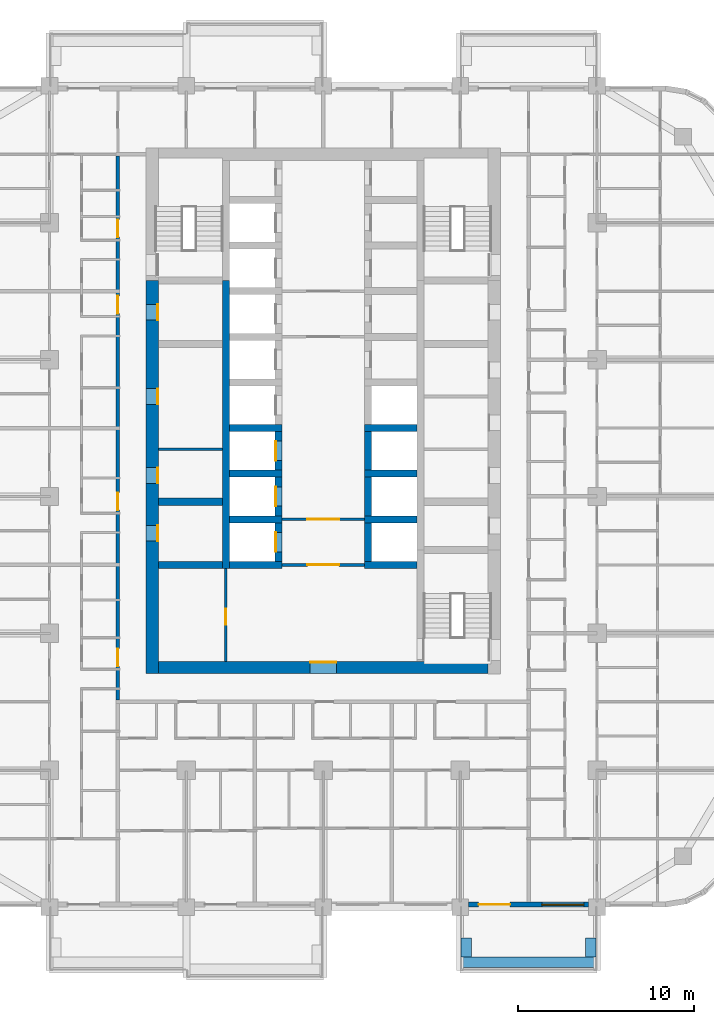
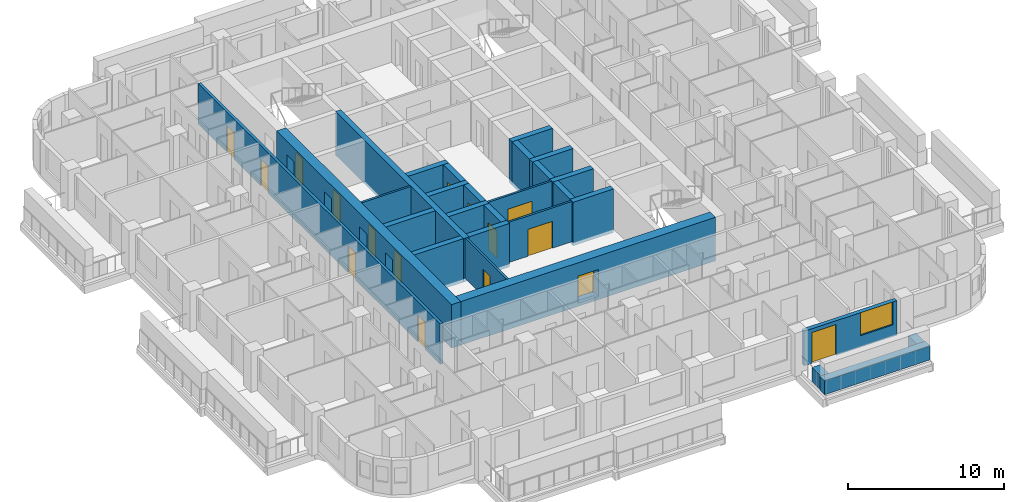
# One storey, part 6 of 18: 28 walls, 16 doors, 1 window, 17 openings.
"""IFC4 building model written with IfcOpenShell, lengths in metres."""

from ifc_helpers import new_model, si_unit, direction, frame, frame_2d, origin, place, context, subcontext, project, spatial, rectangle, extrude, material, layer, layer_set, type_object, element, fill, save


model = new_model("IFC4")

# Units and contexts
model_context = context("Model", 3, precision=1e-05, world=origin(), true_north=direction((0.0, 1.0)))
body_context = subcontext(model_context, "Body", "Model", "MODEL_VIEW")
ifc_project = project(units=[si_unit("LENGTHUNIT", "METRE"), si_unit("AREAUNIT", "SQUARE_METRE"), si_unit("VOLUMEUNIT", "CUBIC_METRE"), si_unit("PLANEANGLEUNIT", "RADIAN"), si_unit("MASSUNIT", "GRAM", prefix="KILO")], contexts=[model_context])

# Site, building, storey
site_placement = place(None, origin())
site = spatial("IfcSite", under=ifc_project, at=site_placement, CompositionType="ELEMENT")
building_placement = place(site_placement, origin())
building = spatial("IfcBuilding", under=site, at=building_placement, Name="Ludao Terraces", CompositionType="ELEMENT")
storey_placement = place(building_placement, frame((0.0, 0.0, 61.39990234375)))
storey = spatial("IfcBuildingStorey", under=building, at=storey_placement, Name="L16", CompositionType="ELEMENT", Elevation=61.39990234375)

# Wall, openings, doors
ifc_material_1 = material(Name="Concrete C70", Category="concrete")
ifc_layer_1 = layer(ifc_material_1, 0.699951171875)
ifc_layer_set_1 = layer_set([ifc_layer_1], Name="Core wall 700 C70")
wall_type_1 = type_object("IfcWallType", Name="Core wall 700 C70", PredefinedType="SOLIDWALL", material=ifc_layer_set_1)
wall_1_placement = place(storey_placement, frame((75.25, 54.89990234375, -0.25), z_axis=(0.0, 0.0, 1.0), x_axis=(0.0, 1.0, 0.0)))
wall_1 = element("IfcWall", 1, at=wall_1_placement, inside=storey, type_object=wall_type_1, Name="Core wall L16 outer-W", PredefinedType="SOLIDWALL", context=body_context, shape_type="SweptSolid", body=[
    extrude(rectangle(XDim=22.400146484375, YDim=0.699951171875, at=frame_2d((11.2001953125, 0.0))), origin(), (0.0, 0.0, 1.0), 3.400146484375),
])
opening_1_placement = place(wall_1_placement, frame((7.550048828125, 0.0, 0.25)))
opening_1 = element("IfcOpeningElement", 2, at=opening_1_placement, cuts=wall_1, Name="Opening R05-079", PredefinedType="OPENING", context=body_context, shape_type="SweptSolid", body=[
    extrude(rectangle(XDim=0.89990234375, YDim=2.10009765625, at=frame_2d((0.449951171875, 1.050048828125))), frame((0.0, 0.35986328125, 0.0), z_axis=(0.0, -1.0, 0.0), x_axis=(1.0, 0.0, 0.0)), (0.0, 0.0, 1.0), 0.719970703125),
])
opening_2_placement = place(wall_1_placement, frame((10.85009765625, 0.0, 0.25)))
opening_2 = element("IfcOpeningElement", 3, at=opening_2_placement, cuts=wall_1, Name="Opening R05-092", PredefinedType="OPENING", context=body_context, shape_type="SweptSolid", body=[
    extrude(rectangle(XDim=0.89990234375, YDim=2.10009765625, at=frame_2d((0.449951171875, 1.050048828125))), frame((0.0, 0.35986328125, 0.0), z_axis=(0.0, -1.0, 0.0), x_axis=(1.0, 0.0, 0.0)), (0.0, 0.0, 1.0), 0.719970703125),
])
opening_3_placement = place(wall_1_placement, frame((15.35009765625, 0.0, 0.25)))
opening_3 = element("IfcOpeningElement", 4, at=opening_3_placement, cuts=wall_1, Name="Opening R05-105", PredefinedType="OPENING", context=body_context, shape_type="SweptSolid", body=[
    extrude(rectangle(XDim=0.89990234375, YDim=2.10009765625, at=frame_2d((0.449951171875, 1.050048828125))), frame((0.0, 0.35986328125, 0.0), z_axis=(0.0, -1.0, 0.0), x_axis=(1.0, 0.0, 0.0)), (0.0, 0.0, 1.0), 0.719970703125),
])
opening_4_placement = place(wall_1_placement, frame((20.14990234375, 0.0, 0.25)))
opening_4 = element("IfcOpeningElement", 5, at=opening_4_placement, cuts=wall_1, Name="Opening R05-123", PredefinedType="OPENING", context=body_context, shape_type="SweptSolid", body=[
    extrude(rectangle(XDim=0.89990234375, YDim=2.10009765625, at=frame_2d((0.449951171875, 1.050048828125))), frame((0.0, 0.35986328125, 0.0), z_axis=(0.0, -1.0, 0.0), x_axis=(1.0, 0.0, 0.0)), (0.0, 0.0, 1.0), 0.719970703125),
])
ifc_material_2 = material(Name="Steel Q235", Category="steel")
door_type_1 = type_object("IfcDoorType", Name="INT Riser door 900", OperationType="SINGLE_SWING_LEFT", PredefinedType="DOOR", material=ifc_material_2)
door_1_placement = place(opening_1_placement, origin())
door_1 = element("IfcDoor", 6, at=door_1_placement, inside=storey, type_object=door_type_1, Name="DOOR 079", OperationType="SINGLE_SWING_RIGHT", OverallHeight=2.10009765625, OverallWidth=0.89990234375, PredefinedType="DOOR", context=body_context, shape_type="SweptSolid", body=[
    extrude(rectangle(XDim=0.89990234375, YDim=2.10009765625, at=frame_2d((0.449951171875, 1.050048828125))), frame((0.0, -0.28515625, 0.0), z_axis=(0.0, -1.0, 0.0), x_axis=(1.0, 0.0, 0.0)), (0.0, 0.0, 1.0), 0.050048828125),
])
fill(opening_1, door_1)
door_2_placement = place(opening_4_placement, origin())
door_2 = element("IfcDoor", 7, at=door_2_placement, inside=storey, type_object=door_type_1, Name="DOOR 123", OperationType="SINGLE_SWING_RIGHT", OverallHeight=2.10009765625, OverallWidth=0.89990234375, PredefinedType="DOOR", context=body_context, shape_type="SweptSolid", body=[
    extrude(rectangle(XDim=0.89990234375, YDim=2.10009765625, at=frame_2d((0.449951171875, 1.050048828125))), frame((0.0, -0.28515625, 0.0), z_axis=(0.0, -1.0, 0.0), x_axis=(1.0, 0.0, 0.0)), (0.0, 0.0, 1.0), 0.050048828125),
])
fill(opening_4, door_2)
ifc_material_3 = material(Name="Timber door leaf", Category="wood")
door_type_2 = type_object("IfcDoorType", Name="INT Room door 900", OperationType="SINGLE_SWING_LEFT", PredefinedType="DOOR", material=ifc_material_3)
door_3_placement = place(opening_2_placement, origin())
door_3 = element("IfcDoor", 8, at=door_3_placement, inside=storey, type_object=door_type_2, Name="DOOR 092", OperationType="SINGLE_SWING_RIGHT", OverallHeight=2.10009765625, OverallWidth=0.89990234375, PredefinedType="DOOR", context=body_context, shape_type="SweptSolid", body=[
    extrude(rectangle(XDim=0.89990234375, YDim=2.10009765625, at=frame_2d((0.449951171875, 1.050048828125))), frame((0.0, -0.28515625, 0.0), z_axis=(0.0, -1.0, 0.0), x_axis=(1.0, 0.0, 0.0)), (0.0, 0.0, 1.0), 0.050048828125),
])
fill(opening_2, door_3)
door_4_placement = place(opening_3_placement, origin())
door_4 = element("IfcDoor", 9, at=door_4_placement, inside=storey, type_object=door_type_2, Name="DOOR 105", OperationType="SINGLE_SWING_LEFT", OverallHeight=2.10009765625, OverallWidth=0.89990234375, PredefinedType="DOOR", context=body_context, shape_type="SweptSolid", body=[
    extrude(rectangle(XDim=0.89990234375, YDim=2.10009765625, at=frame_2d((0.449951171875, 1.050048828125))), frame((0.0, -0.28515625, 0.0), z_axis=(0.0, -1.0, 0.0), x_axis=(1.0, 0.0, 0.0)), (0.0, 0.0, 1.0), 0.050048828125),
])
fill(opening_3, door_4)

# Wall, opening, door
wall_2_placement = place(storey_placement, frame((75.60009765625, 55.25, -0.25), z_axis=(0.0, 0.0, 1.0), x_axis=(1.0, 0.0, 0.0)))
wall_2 = element("IfcWall", 10, at=wall_2_placement, inside=storey, type_object=wall_type_1, Name="Core wall L16 outer-S", PredefinedType="SOLIDWALL", context=body_context, shape_type="SweptSolid", body=[
    extrude(rectangle(XDim=18.7998046875, YDim=0.699951171875, at=frame_2d((9.39990234375, 0.0))), origin(), (0.0, 0.0, 1.0), 3.400146484375),
])
opening_5_placement = place(wall_2_placement, frame((8.64990234375, 0.0, 0.25)))
opening_5 = element("IfcOpeningElement", 11, at=opening_5_placement, cuts=wall_2, Name="Opening R05-054", PredefinedType="OPENING", context=body_context, shape_type="SweptSolid", body=[
    extrude(rectangle(XDim=1.5, YDim=2.10009765625, at=frame_2d((0.75, 1.050048828125))), frame((0.0, 0.35986328125, 0.0), z_axis=(0.0, -1.0, 0.0), x_axis=(1.0, 0.0, 0.0)), (0.0, 0.0, 1.0), 0.719970703125),
])
door_type_3 = type_object("IfcDoorType", Name="INT Lobby door 1500", OperationType="DOUBLE_DOOR_SINGLE_SWING", PredefinedType="DOOR", material=ifc_material_2)
door_5_placement = place(opening_5_placement, origin())
door_5 = element("IfcDoor", 12, at=door_5_placement, inside=storey, type_object=door_type_3, Name="DOOR 054", OperationType="DOUBLE_DOOR_SINGLE_SWING", OverallHeight=2.10009765625, OverallWidth=1.5, PredefinedType="DOOR", context=body_context, shape_type="SweptSolid", body=[
    extrude(rectangle(XDim=1.5, YDim=2.10009765625, at=frame_2d((0.75, 1.050048828125))), frame((0.0, 0.3349609375, 0.0), z_axis=(0.0, -1.0, 0.0), x_axis=(1.0, 0.0, 0.0)), (0.0, 0.0, 1.0), 0.050048828125),
])
fill(opening_5, door_5)

# Walls
ifc_material_4 = material(Name="Concrete C40", Category="concrete")
ifc_layer_2 = layer(ifc_material_4, 0.60009765625)
ifc_layer_set_2 = layer_set([ifc_layer_2], Name="ENV Planter trough 600")
wall_type_2 = type_object("IfcWallType", Name="ENV Planter trough 600", PredefinedType="USERDEFINED", material=ifc_layer_set_2)
wall_3_placement = place(storey_placement, frame((92.800048828125, 38.449951171875, 0.0), z_axis=(0.0, 0.0, 1.0), x_axis=(1.0, 0.0, 0.0)))
element("IfcWall", 13, at=wall_3_placement, inside=storey, type_object=wall_type_2, Name="PL-L16-S4", ObjectType="PLANTER", PredefinedType="USERDEFINED", context=body_context, shape_type="SweptSolid", body=[
    extrude(rectangle(XDim=7.800048828125, YDim=0.60009765625, at=frame_2d((3.89990234375, 0.0))), origin(), (0.0, 0.0, 1.0), 1.10009765625),
])
for number, where, z_axis, x_axis, name in (
    (14, (93.14990234375, 38.75, 0.0), (0.0, 0.0, 1.0), (0.0, 1.0, 0.0), "PL-L16-S4-SA"),
    (15, (100.25, 38.75, 0.0), (0.0, 0.0, 1.0), (0.0, 1.0, 0.0), "PL-L16-S4-SB"),
):
    element("IfcWall", number, at=place(storey_placement, frame(where, z_axis=z_axis, x_axis=x_axis)), inside=storey, type_object=wall_type_2, Name=name, ObjectType="PLANTER", PredefinedType="USERDEFINED", context=body_context, shape_type="SweptSolid", body=[
        extrude(rectangle(XDim=1.10009765625, YDim=0.60009765625, at=frame_2d((0.550048828125, 0.0))), origin(), (0.0, 0.0, 1.0), 1.10009765625),
    ])

# Wall, openings, door, window
ifc_material_5 = material(Name="Granite cladding", Category="masonry")
ifc_layer_3 = layer(ifc_material_5, 0.0400390625, Category="stone")
ifc_material_6 = material(Name="Mineral wool")
ifc_layer_4 = layer(ifc_material_6, 0.06005859375)
ifc_layer_5 = layer(ifc_material_4, 0.199951171875, Category="concrete")
ifc_layer_set_3 = layer_set([ifc_layer_3, ifc_layer_4, ifc_layer_5], Name="ENV Stone-clad wall 300")
wall_type_3 = type_object("IfcWallType", Name="ENV Stone-clad wall 300", PredefinedType="SOLIDWALL", material=ifc_layer_set_3)
wall_4_placement = place(storey_placement, frame((93.27490234375, 41.75, 0.0), z_axis=(0.0, 0.0, 1.0), x_axis=(1.0, 0.0, 0.0)))
wall_4 = element("IfcWall", 16, at=wall_4_placement, inside=storey, type_object=wall_type_3, Name="EW-L16-S5", PredefinedType="SOLIDWALL", context=body_context, shape_type="SweptSolid", body=[
    extrude(rectangle(XDim=6.85009765625, YDim=0.300048828125, at=frame_2d((3.425048828125, 0.0))), origin(), (0.0, 0.0, 1.0), 2.7001953125),
])
opening_6_placement = place(wall_4_placement, frame((0.574951171875, 0.0, 0.0)))
opening_6 = element("IfcOpeningElement", 17, at=opening_6_placement, cuts=wall_4, Name="Opening BD", PredefinedType="OPENING", context=body_context, shape_type="SweptSolid", body=[
    extrude(rectangle(XDim=1.800048828125, YDim=2.39990234375, at=frame_2d((0.89990234375, 1.199951171875))), frame((0.0, 0.16015625, 0.0), z_axis=(0.0, -1.0, 0.0), x_axis=(1.0, 0.0, 0.0)), (0.0, 0.0, 1.0), 0.320068359375),
])
opening_7_placement = place(wall_4_placement, frame((4.175048828125, 0.0, 0.89990234375)))
opening_7 = element("IfcOpeningElement", 18, at=opening_7_placement, cuts=wall_4, Name="Opening W1", PredefinedType="OPENING", context=body_context, shape_type="SweptSolid", body=[
    extrude(rectangle(XDim=2.39990234375, YDim=1.800048828125, at=frame_2d((1.199951171875, 0.89990234375))), frame((0.0, 0.16015625, 0.0), z_axis=(0.0, -1.0, 0.0), x_axis=(1.0, 0.0, 0.0)), (0.0, 0.0, 1.0), 0.320068359375),
])
ifc_material_7 = material(Name="Aluminium glazed door", Category="aluminium")
ifc_layer_6 = layer(ifc_material_7, 0.06005859375)
ifc_layer_set_4 = layer_set([ifc_layer_6], Name="ENV Balcony door BD 1800x2400")
door_type_4 = type_object("IfcDoorType", Name="ENV Balcony door BD 1800x2400", OperationType="DOUBLE_DOOR_SINGLE_SWING", PredefinedType="DOOR", material=ifc_layer_set_4)
door_6_placement = place(opening_6_placement, origin())
door_6 = element("IfcDoor", 19, at=door_6_placement, inside=storey, type_object=door_type_4, Name="BD-L16-S5-1", OperationType="DOUBLE_DOOR_SINGLE_SWING", OverallHeight=2.39990234375, OverallWidth=1.800048828125, PredefinedType="DOOR", context=body_context, shape_type="SweptSolid", body=[
    extrude(rectangle(XDim=1.800048828125, YDim=2.39990234375, at=frame_2d((0.89990234375, 1.199951171875))), frame((0.0, 0.02490234375, 0.0), z_axis=(0.0, -1.0, 0.0), x_axis=(1.0, 0.0, 0.0)), (0.0, 0.0, 1.0), 0.050048828125),
])
fill(opening_6, door_6)
ifc_material_8 = material(Name="Clear glass in aluminium frame", Category="aluminium")
ifc_layer_7 = layer(ifc_material_8, 0.06005859375)
ifc_layer_set_5 = layer_set([ifc_layer_7], Name="ENV Window W1 2400x1800")
window_type = type_object("IfcWindowType", Name="ENV Window W1 2400x1800", PartitioningType="DOUBLE_PANEL_VERTICAL", PredefinedType="WINDOW", material=ifc_layer_set_5)
window_placement = place(opening_7_placement, origin())
window = element("IfcWindow", 20, at=window_placement, inside=storey, type_object=window_type, Name="W-L16-S5-2", OverallHeight=1.800048828125, OverallWidth=2.39990234375, PartitioningType="DOUBLE_PANEL_VERTICAL", PredefinedType="WINDOW", context=body_context, shape_type="SweptSolid", body=[
    extrude(rectangle(XDim=2.39990234375, YDim=1.800048828125, at=frame_2d((1.199951171875, 0.89990234375))), frame((0.0, 0.030029296875, 0.0), z_axis=(0.0, -1.0, 0.0), x_axis=(1.0, 0.0, 0.0)), (0.0, 0.0, 1.0), 0.06005859375),
])
fill(opening_7, window)

# Wall, opening, door
ifc_material_9 = material(Name="Fire-rated gypsum plasterboard", Category="gypsum")
ifc_layer_8 = layer(ifc_material_9, 0.012451171875, Category="gypsum")
ifc_layer_9 = layer(ifc_material_6, 0.10009765625, Name="insulation")
ifc_layer_10 = layer(ifc_material_2, 0.02490234375, Name="stud")
ifc_layer_11 = layer(ifc_material_9, 0.012451171875, Category="gypsum")
ifc_layer_set_6 = layer_set([ifc_layer_8, ifc_layer_9, ifc_layer_10, ifc_layer_11], Name="INT Core partition 150")
wall_type_4 = type_object("IfcWallType", Name="INT Core partition 150", PredefinedType="PARTITIONING", material=ifc_layer_set_6)
wall_5_placement = place(storey_placement, frame((82.650146484375, 61.10009765625, 0.0), z_axis=(0.0, 0.0, 1.0), x_axis=(1.0, 0.0, 0.0)))
wall_5 = element("IfcWall", 21, at=wall_5_placement, inside=storey, type_object=wall_type_4, Name="PW-L16-PW034", PredefinedType="PARTITIONING", context=body_context, shape_type="SweptSolid", body=[
    extrude(rectangle(XDim=4.699951171875, YDim=0.14990234375, at=frame_2d((2.35009765625, 0.0))), origin(), (0.0, 0.0, 1.0), 3.150146484375),
])
opening_8_placement = place(wall_5_placement, frame((1.449951171875, 0.0, 0.0)))
opening_8 = element("IfcOpeningElement", 22, at=opening_8_placement, cuts=wall_5, Name="Opening R05-073", PredefinedType="OPENING", context=body_context, shape_type="SweptSolid", body=[
    extrude(rectangle(XDim=1.800048828125, YDim=2.10009765625, at=frame_2d((0.89990234375, 1.050048828125))), frame((0.0, 0.0849609375, 0.0), z_axis=(0.0, -1.0, 0.0), x_axis=(1.0, 0.0, 0.0)), (0.0, 0.0, 1.0), 0.169921875),
])
door_type_5 = type_object("IfcDoorType", Name="INT Fire lobby door 1800", OperationType="DOUBLE_DOOR_SINGLE_SWING", PredefinedType="DOOR", material=ifc_material_2)
door_7_placement = place(opening_8_placement, origin())
door_7 = element("IfcDoor", 23, at=door_7_placement, inside=storey, type_object=door_type_5, Name="DOOR 073", OperationType="DOUBLE_DOOR_SINGLE_SWING", OverallHeight=2.10009765625, OverallWidth=1.800048828125, PredefinedType="DOOR", context=body_context, shape_type="SweptSolid", body=[
    extrude(rectangle(XDim=1.800048828125, YDim=2.10009765625, at=frame_2d((0.89990234375, 1.050048828125))), frame((0.0, 0.02490234375, 0.0), z_axis=(0.0, -1.0, 0.0), x_axis=(1.0, 0.0, 0.0)), (0.0, 0.0, 1.0), 0.050048828125),
])
fill(opening_8, door_7)

wall_6_placement = place(storey_placement, frame((82.650146484375, 63.699951171875, 0.0), z_axis=(0.0, 0.0, 1.0), x_axis=(1.0, 0.0, 0.0)))
wall_6 = element("IfcWall", 24, at=wall_6_placement, inside=storey, type_object=wall_type_4, Name="PW-L16-PW040", PredefinedType="PARTITIONING", context=body_context, shape_type="SweptSolid", body=[
    extrude(rectangle(XDim=4.699951171875, YDim=0.14990234375, at=frame_2d((2.35009765625, 0.0))), origin(), (0.0, 0.0, 1.0), 3.150146484375),
])
opening_9_placement = place(wall_6_placement, frame((1.449951171875, 0.0, 0.0)))
opening_9 = element("IfcOpeningElement", 25, at=opening_9_placement, cuts=wall_6, Name="Opening R05-081", PredefinedType="OPENING", context=body_context, shape_type="SweptSolid", body=[
    extrude(rectangle(XDim=1.800048828125, YDim=2.10009765625, at=frame_2d((0.89990234375, 1.050048828125))), frame((0.0, 0.0849609375, 0.0), z_axis=(0.0, -1.0, 0.0), x_axis=(1.0, 0.0, 0.0)), (0.0, 0.0, 1.0), 0.169921875),
])
door_8_placement = place(opening_9_placement, origin())
door_8 = element("IfcDoor", 26, at=door_8_placement, inside=storey, type_object=door_type_5, Name="DOOR 081", OperationType="DOUBLE_DOOR_SINGLE_SWING", OverallHeight=2.10009765625, OverallWidth=1.800048828125, PredefinedType="DOOR", context=body_context, shape_type="SweptSolid", body=[
    extrude(rectangle(XDim=1.800048828125, YDim=2.10009765625, at=frame_2d((0.89990234375, 1.050048828125))), frame((0.0, 0.02490234375, 0.0), z_axis=(0.0, -1.0, 0.0), x_axis=(1.0, 0.0, 0.0)), (0.0, 0.0, 1.0), 0.050048828125),
])
fill(opening_9, door_8)

# Wall
wall_7_placement = place(storey_placement, frame((75.60009765625, 67.699951171875, 0.0), z_axis=(0.0, 0.0, 1.0), x_axis=(1.0, 0.0, 0.0)))
element("IfcWall", 27, at=wall_7_placement, inside=storey, type_object=wall_type_4, Name="PW-L16-PW047", PredefinedType="PARTITIONING", context=body_context, shape_type="SweptSolid", body=[
    extrude(rectangle(XDim=3.64990234375, YDim=0.14990234375, at=frame_2d((1.824951171875, 0.0))), origin(), (0.0, 0.0, 1.0), 3.150146484375),
])

# Wall, opening, door
wall_8_placement = place(storey_placement, frame((79.449951171875, 55.60009765625, 0.0), z_axis=(0.0, 0.0, 1.0), x_axis=(0.0, 1.0, 0.0)))
wall_8 = element("IfcWall", 28, at=wall_8_placement, inside=storey, type_object=wall_type_4, Name="PW-L16-PW100", PredefinedType="PARTITIONING", context=body_context, shape_type="SweptSolid", body=[
    extrude(rectangle(XDim=5.300048828125, YDim=0.14990234375, at=frame_2d((2.64990234375, 0.0))), origin(), (0.0, 0.0, 1.0), 3.150146484375),
])
opening_10_placement = place(wall_8_placement, frame((2.10009765625, 0.0, 0.0)))
opening_10 = element("IfcOpeningElement", 29, at=opening_10_placement, cuts=wall_8, Name="Opening R05-064", PredefinedType="OPENING", context=body_context, shape_type="SweptSolid", body=[
    extrude(rectangle(XDim=0.89990234375, YDim=2.10009765625, at=frame_2d((0.449951171875, 1.050048828125))), frame((0.0, 0.0849609375, 0.0), z_axis=(0.0, -1.0, 0.0), x_axis=(1.0, 0.0, 0.0)), (0.0, 0.0, 1.0), 0.169921875),
])
door_9_placement = place(opening_10_placement, origin())
door_9 = element("IfcDoor", 30, at=door_9_placement, inside=storey, type_object=door_type_2, Name="DOOR 064", OperationType="SINGLE_SWING_LEFT", OverallHeight=2.10009765625, OverallWidth=0.89990234375, PredefinedType="DOOR", context=body_context, shape_type="SweptSolid", body=[
    extrude(rectangle(XDim=0.89990234375, YDim=2.10009765625, at=frame_2d((0.449951171875, 1.050048828125))), frame((0.0, 0.02490234375, 0.0), z_axis=(0.0, -1.0, 0.0), x_axis=(1.0, 0.0, 0.0)), (0.0, 0.0, 1.0), 0.050048828125),
])
fill(opening_10, door_9)

# Wall, openings, doors
ifc_material_10 = material(Name="Autoclaved aerated concrete block B06 A3.5", Category="concrete")
ifc_layer_12 = layer(ifc_material_10, 0.199951171875)
ifc_layer_set_7 = layer_set([ifc_layer_12], Name="INT Entrance wall 200")
wall_type_5 = type_object("IfcWallType", Name="INT Entrance wall 200", PredefinedType="PARTITIONING", material=ifc_layer_set_7)
wall_9_placement = place(storey_placement, frame((73.300048828125, 53.400146484375, 0.0), z_axis=(0.0, 0.0, 1.0), x_axis=(0.0, 1.0, 0.0)))
wall_9 = element("IfcWall", 31, at=wall_9_placement, inside=storey, type_object=wall_type_5, Name="PW-L16-PW092", PredefinedType="PARTITIONING", context=body_context, shape_type="SweptSolid", body=[
    extrude(rectangle(XDim=31.0, YDim=0.199951171875, at=frame_2d((15.5, 0.0))), origin(), (0.0, 0.0, 1.0), 3.150146484375),
])
opening_11_placement = place(wall_9_placement, frame((1.925048828125, 0.0, 0.0)))
opening_11 = element("IfcOpeningElement", 32, at=opening_11_placement, cuts=wall_9, Name="Opening R05-056", PredefinedType="OPENING", context=body_context, shape_type="SweptSolid", body=[
    extrude(rectangle(XDim=1.0, YDim=2.10009765625, at=frame_2d((0.5, 1.050048828125))), frame((0.0, 0.10986328125, 0.0), z_axis=(0.0, -1.0, 0.0), x_axis=(1.0, 0.0, 0.0)), (0.0, 0.0, 1.0), 0.219970703125),
])
opening_12_placement = place(wall_9_placement, frame((10.824951171875, 0.0, 0.0)))
opening_12 = element("IfcOpeningElement", 33, at=opening_12_placement, cuts=wall_9, Name="Opening R05-087", PredefinedType="OPENING", context=body_context, shape_type="SweptSolid", body=[
    extrude(rectangle(XDim=1.0, YDim=2.10009765625, at=frame_2d((0.5, 1.050048828125))), frame((0.0, 0.10986328125, 0.0), z_axis=(0.0, -1.0, 0.0), x_axis=(1.0, 0.0, 0.0)), (0.0, 0.0, 1.0), 0.219970703125),
])
opening_13_placement = place(wall_9_placement, frame((22.02490234375, 0.0, 0.0)))
opening_13 = element("IfcOpeningElement", 34, at=opening_13_placement, cuts=wall_9, Name="Opening R05-127", PredefinedType="OPENING", context=body_context, shape_type="SweptSolid", body=[
    extrude(rectangle(XDim=1.0, YDim=2.10009765625, at=frame_2d((0.5, 1.050048828125))), frame((0.0, 0.10986328125, 0.0), z_axis=(0.0, -1.0, 0.0), x_axis=(1.0, 0.0, 0.0)), (0.0, 0.0, 1.0), 0.219970703125),
])
opening_14_placement = place(wall_9_placement, frame((26.375, 0.0, 0.0)))
opening_14 = element("IfcOpeningElement", 35, at=opening_14_placement, cuts=wall_9, Name="Opening R05-142", PredefinedType="OPENING", context=body_context, shape_type="SweptSolid", body=[
    extrude(rectangle(XDim=1.0, YDim=2.10009765625, at=frame_2d((0.5, 1.050048828125))), frame((0.0, 0.10986328125, 0.0), z_axis=(0.0, -1.0, 0.0), x_axis=(1.0, 0.0, 0.0)), (0.0, 0.0, 1.0), 0.219970703125),
])
door_type_6 = type_object("IfcDoorType", Name="INT Flat entrance door 1000", OperationType="SINGLE_SWING_LEFT", PredefinedType="DOOR", material=ifc_material_2)
door_10_placement = place(opening_11_placement, origin())
door_10 = element("IfcDoor", 36, at=door_10_placement, inside=storey, type_object=door_type_6, Name="DOOR 056", OperationType="SINGLE_SWING_RIGHT", OverallHeight=2.10009765625, OverallWidth=1.0, PredefinedType="DOOR", context=body_context, shape_type="SweptSolid", body=[
    extrude(rectangle(XDim=1.0, YDim=2.10009765625, at=frame_2d((0.5, 1.050048828125))), frame((0.0, 0.02490234375, 0.0), z_axis=(0.0, -1.0, 0.0), x_axis=(1.0, 0.0, 0.0)), (0.0, 0.0, 1.0), 0.050048828125),
])
fill(opening_11, door_10)
door_11_placement = place(opening_12_placement, origin())
door_11 = element("IfcDoor", 37, at=door_11_placement, inside=storey, type_object=door_type_6, Name="DOOR 087", OperationType="SINGLE_SWING_RIGHT", OverallHeight=2.10009765625, OverallWidth=1.0, PredefinedType="DOOR", context=body_context, shape_type="SweptSolid", body=[
    extrude(rectangle(XDim=1.0, YDim=2.10009765625, at=frame_2d((0.5, 1.050048828125))), frame((0.0, 0.02490234375, 0.0), z_axis=(0.0, -1.0, 0.0), x_axis=(1.0, 0.0, 0.0)), (0.0, 0.0, 1.0), 0.050048828125),
])
fill(opening_12, door_11)
door_12_placement = place(opening_13_placement, origin())
door_12 = element("IfcDoor", 38, at=door_12_placement, inside=storey, type_object=door_type_6, Name="DOOR 127", OperationType="SINGLE_SWING_RIGHT", OverallHeight=2.10009765625, OverallWidth=1.0, PredefinedType="DOOR", context=body_context, shape_type="SweptSolid", body=[
    extrude(rectangle(XDim=1.0, YDim=2.10009765625, at=frame_2d((0.5, 1.050048828125))), frame((0.0, 0.02490234375, 0.0), z_axis=(0.0, -1.0, 0.0), x_axis=(1.0, 0.0, 0.0)), (0.0, 0.0, 1.0), 0.050048828125),
])
fill(opening_13, door_12)
door_13_placement = place(opening_14_placement, origin())
door_13 = element("IfcDoor", 39, at=door_13_placement, inside=storey, type_object=door_type_6, Name="DOOR 142", OperationType="SINGLE_SWING_RIGHT", OverallHeight=2.10009765625, OverallWidth=1.0, PredefinedType="DOOR", context=body_context, shape_type="SweptSolid", body=[
    extrude(rectangle(XDim=1.0, YDim=2.10009765625, at=frame_2d((0.5, 1.050048828125))), frame((0.0, 0.02490234375, 0.0), z_axis=(0.0, -1.0, 0.0), x_axis=(1.0, 0.0, 0.0)), (0.0, 0.0, 1.0), 0.050048828125),
])
fill(opening_14, door_13)

# Walls
ifc_material_11 = material(Name="Concrete C60", Category="concrete")
ifc_layer_13 = layer(ifc_material_11, 0.39990234375)
ifc_layer_set_8 = layer_set([ifc_layer_13], Name="Shaft wall 400 C60")
wall_type_6 = type_object("IfcWallType", Name="Shaft wall 400 C60", PredefinedType="SOLIDWALL", material=ifc_layer_set_8)
wall_10_placement = place(storey_placement, frame((79.449951171875, 60.89990234375, -0.25), z_axis=(0.0, 0.0, 1.0), x_axis=(0.0, 1.0, 0.0)))
element("IfcWall", 40, at=wall_10_placement, inside=storey, type_object=wall_type_6, Name="Core wall L16 back-W", PredefinedType="SOLIDWALL", context=body_context, shape_type="SweptSolid", body=[
    extrude(rectangle(XDim=16.400146484375, YDim=0.39990234375, at=frame_2d((8.2001953125, 0.0))), origin(), (0.0, 0.0, 1.0), 3.400146484375),
])
wall_11_placement = place(storey_placement, frame((79.64990234375, 61.10009765625, -0.25), z_axis=(0.0, 0.0, 1.0), x_axis=(1.0, 0.0, 0.0)))
element("IfcWall", 41, at=wall_11_placement, inside=storey, type_object=wall_type_6, Name="Core wall L16 div-W1", PredefinedType="SOLIDWALL", context=body_context, shape_type="SweptSolid", body=[
    extrude(rectangle(XDim=3.0, YDim=0.39990234375, at=frame_2d((1.5, 0.0))), origin(), (0.0, 0.0, 1.0), 3.400146484375),
])

# Wall, opening, door
wall_12_placement = place(storey_placement, frame((82.449951171875, 61.300048828125, -0.25), z_axis=(0.0, 0.0, 1.0), x_axis=(0.0, 1.0, 0.0)))
wall_12 = element("IfcWall", 42, at=wall_12_placement, inside=storey, type_object=wall_type_6, Name="Core wall L16 front-W1", PredefinedType="SOLIDWALL", context=body_context, shape_type="SweptSolid", body=[
    extrude(rectangle(XDim=2.199951171875, YDim=0.39990234375, at=frame_2d((1.10009765625, 0.0))), origin(), (0.0, 0.0, 1.0), 3.400146484375),
])
opening_15_placement = place(wall_12_placement, frame((0.550048828125, 0.0, 0.25)))
opening_15 = element("IfcOpeningElement", 43, at=opening_15_placement, cuts=wall_12, Name="Opening LD-LA1", PredefinedType="OPENING", context=body_context, shape_type="SweptSolid", body=[
    extrude(rectangle(XDim=1.10009765625, YDim=2.10009765625, at=frame_2d((0.550048828125, 1.050048828125))), frame((0.0, 0.2099609375, 0.0), z_axis=(0.0, -1.0, 0.0), x_axis=(1.0, 0.0, 0.0)), (0.0, 0.0, 1.0), 0.419921875),
])
ifc_material_12 = material(Name="Stainless steel 304", Category="steel")
door_type_7 = type_object("IfcDoorType", Name="INT Lift landing door 1100", OperationType="SLIDING_TO_LEFT", PredefinedType="DOOR", material=ifc_material_12)
door_14_placement = place(opening_15_placement, origin())
door_14 = element("IfcDoor", 44, at=door_14_placement, inside=storey, type_object=door_type_7, Name="LANDING DOOR LA1 L16", OperationType="SLIDING_TO_RIGHT", OverallHeight=2.10009765625, OverallWidth=1.10009765625, PredefinedType="DOOR", context=body_context, shape_type="SweptSolid", body=[
    extrude(rectangle(XDim=1.10009765625, YDim=2.10009765625, at=frame_2d((0.550048828125, 1.050048828125))), frame((0.0, 0.18505859375, 0.0), z_axis=(0.0, -1.0, 0.0), x_axis=(1.0, 0.0, 0.0)), (0.0, 0.0, 1.0), 0.050048828125),
])
fill(opening_15, door_14)

# Wall
wall_13_placement = place(storey_placement, frame((79.64990234375, 63.699951171875, -0.25), z_axis=(0.0, 0.0, 1.0), x_axis=(1.0, 0.0, 0.0)))
element("IfcWall", 45, at=wall_13_placement, inside=storey, type_object=wall_type_6, Name="Core wall L16 div-W2", PredefinedType="SOLIDWALL", context=body_context, shape_type="SweptSolid", body=[
    extrude(rectangle(XDim=3.0, YDim=0.39990234375, at=frame_2d((1.5, 0.0))), origin(), (0.0, 0.0, 1.0), 3.400146484375),
])

# Wall, opening, door
wall_14_placement = place(storey_placement, frame((82.449951171875, 63.89990234375, -0.25), z_axis=(0.0, 0.0, 1.0), x_axis=(0.0, 1.0, 0.0)))
wall_14 = element("IfcWall", 46, at=wall_14_placement, inside=storey, type_object=wall_type_6, Name="Core wall L16 front-W2", PredefinedType="SOLIDWALL", context=body_context, shape_type="SweptSolid", body=[
    extrude(rectangle(XDim=2.2001953125, YDim=0.39990234375, at=frame_2d((1.10009765625, 0.0))), origin(), (0.0, 0.0, 1.0), 3.400146484375),
])
opening_16_placement = place(wall_14_placement, frame((0.550048828125, 0.0, 0.25)))
opening_16 = element("IfcOpeningElement", 47, at=opening_16_placement, cuts=wall_14, Name="Opening LD-LA2", PredefinedType="OPENING", context=body_context, shape_type="SweptSolid", body=[
    extrude(rectangle(XDim=1.10009765625, YDim=2.10009765625, at=frame_2d((0.550048828125, 1.050048828125))), frame((0.0, 0.2099609375, 0.0), z_axis=(0.0, -1.0, 0.0), x_axis=(1.0, 0.0, 0.0)), (0.0, 0.0, 1.0), 0.419921875),
])
door_15_placement = place(opening_16_placement, origin())
door_15 = element("IfcDoor", 48, at=door_15_placement, inside=storey, type_object=door_type_7, Name="LANDING DOOR LA2 L16", OperationType="SLIDING_TO_RIGHT", OverallHeight=2.10009765625, OverallWidth=1.10009765625, PredefinedType="DOOR", context=body_context, shape_type="SweptSolid", body=[
    extrude(rectangle(XDim=1.10009765625, YDim=2.10009765625, at=frame_2d((0.550048828125, 1.050048828125))), frame((0.0, 0.18505859375, 0.0), z_axis=(0.0, -1.0, 0.0), x_axis=(1.0, 0.0, 0.0)), (0.0, 0.0, 1.0), 0.050048828125),
])
fill(opening_16, door_15)

# Wall
wall_15_placement = place(storey_placement, frame((79.64990234375, 66.300048828125, -0.25), z_axis=(0.0, 0.0, 1.0), x_axis=(1.0, 0.0, 0.0)))
element("IfcWall", 49, at=wall_15_placement, inside=storey, type_object=wall_type_6, Name="Core wall L16 div-W3", PredefinedType="SOLIDWALL", context=body_context, shape_type="SweptSolid", body=[
    extrude(rectangle(XDim=3.0, YDim=0.39990234375, at=frame_2d((1.5, 0.0))), origin(), (0.0, 0.0, 1.0), 3.400146484375),
])

# Wall, opening, door
wall_16_placement = place(storey_placement, frame((82.449951171875, 66.5, -0.25), z_axis=(0.0, 0.0, 1.0), x_axis=(0.0, 1.0, 0.0)))
wall_16 = element("IfcWall", 50, at=wall_16_placement, inside=storey, type_object=wall_type_6, Name="Core wall L16 front-W3", PredefinedType="SOLIDWALL", context=body_context, shape_type="SweptSolid", body=[
    extrude(rectangle(XDim=2.199951171875, YDim=0.39990234375, at=frame_2d((1.10009765625, 0.0))), origin(), (0.0, 0.0, 1.0), 3.400146484375),
])
opening_17_placement = place(wall_16_placement, frame((0.550048828125, 0.0, 0.25)))
opening_17 = element("IfcOpeningElement", 51, at=opening_17_placement, cuts=wall_16, Name="Opening LD-LA3", PredefinedType="OPENING", context=body_context, shape_type="SweptSolid", body=[
    extrude(rectangle(XDim=1.10009765625, YDim=2.10009765625, at=frame_2d((0.550048828125, 1.050048828125))), frame((0.0, 0.2099609375, 0.0), z_axis=(0.0, -1.0, 0.0), x_axis=(1.0, 0.0, 0.0)), (0.0, 0.0, 1.0), 0.419921875),
])
door_16_placement = place(opening_17_placement, origin())
door_16 = element("IfcDoor", 52, at=door_16_placement, inside=storey, type_object=door_type_7, Name="LANDING DOOR LA3 L16", OperationType="SLIDING_TO_RIGHT", OverallHeight=2.10009765625, OverallWidth=1.10009765625, PredefinedType="DOOR", context=body_context, shape_type="SweptSolid", body=[
    extrude(rectangle(XDim=1.10009765625, YDim=2.10009765625, at=frame_2d((0.550048828125, 1.050048828125))), frame((0.0, 0.18505859375, 0.0), z_axis=(0.0, -1.0, 0.0), x_axis=(1.0, 0.0, 0.0)), (0.0, 0.0, 1.0), 0.050048828125),
])
fill(opening_17, door_16)

# Walls
for number, where, z_axis, x_axis, name in (
    (53, (79.64990234375, 68.89990234375, -0.25), (0.0, 0.0, 1.0), (1.0, 0.0, 0.0), "Core wall L16 div-W4"),
    (54, (87.35009765625, 61.10009765625, -0.25), (0.0, 0.0, 1.0), (1.0, 0.0, 0.0), "Core wall L16 div-E1"),
):
    element("IfcWall", number, at=place(storey_placement, frame(where, z_axis=z_axis, x_axis=x_axis)), inside=storey, type_object=wall_type_6, Name=name, PredefinedType="SOLIDWALL", context=body_context, shape_type="SweptSolid", body=[
        extrude(rectangle(XDim=3.0, YDim=0.39990234375, at=frame_2d((1.5, 0.0))), origin(), (0.0, 0.0, 1.0), 3.400146484375),
    ])
wall_17_placement = place(storey_placement, frame((87.550048828125, 61.300048828125, -0.25), z_axis=(0.0, 0.0, 1.0), x_axis=(0.0, 1.0, 0.0)))
element("IfcWall", 55, at=wall_17_placement, inside=storey, type_object=wall_type_6, Name="Core wall L16 front-E1", PredefinedType="SOLIDWALL", context=body_context, shape_type="SweptSolid", body=[
    extrude(rectangle(XDim=2.199951171875, YDim=0.39990234375, at=frame_2d((1.10009765625, 0.0))), origin(), (0.0, 0.0, 1.0), 3.400146484375),
])
wall_18_placement = place(storey_placement, frame((87.35009765625, 63.699951171875, -0.25), z_axis=(0.0, 0.0, 1.0), x_axis=(1.0, 0.0, 0.0)))
element("IfcWall", 56, at=wall_18_placement, inside=storey, type_object=wall_type_6, Name="Core wall L16 div-E2", PredefinedType="SOLIDWALL", context=body_context, shape_type="SweptSolid", body=[
    extrude(rectangle(XDim=3.0, YDim=0.39990234375, at=frame_2d((1.5, 0.0))), origin(), (0.0, 0.0, 1.0), 3.400146484375),
])
wall_19_placement = place(storey_placement, frame((87.550048828125, 63.89990234375, -0.25), z_axis=(0.0, 0.0, 1.0), x_axis=(0.0, 1.0, 0.0)))
element("IfcWall", 57, at=wall_19_placement, inside=storey, type_object=wall_type_6, Name="Core wall L16 front-E2", PredefinedType="SOLIDWALL", context=body_context, shape_type="SweptSolid", body=[
    extrude(rectangle(XDim=2.2001953125, YDim=0.39990234375, at=frame_2d((1.10009765625, 0.0))), origin(), (0.0, 0.0, 1.0), 3.400146484375),
])
wall_20_placement = place(storey_placement, frame((87.35009765625, 66.300048828125, -0.25), z_axis=(0.0, 0.0, 1.0), x_axis=(1.0, 0.0, 0.0)))
element("IfcWall", 58, at=wall_20_placement, inside=storey, type_object=wall_type_6, Name="Core wall L16 div-E3", PredefinedType="SOLIDWALL", context=body_context, shape_type="SweptSolid", body=[
    extrude(rectangle(XDim=3.0, YDim=0.39990234375, at=frame_2d((1.5, 0.0))), origin(), (0.0, 0.0, 1.0), 3.400146484375),
])
wall_21_placement = place(storey_placement, frame((87.550048828125, 66.5, -0.25), z_axis=(0.0, 0.0, 1.0), x_axis=(0.0, 1.0, 0.0)))
element("IfcWall", 59, at=wall_21_placement, inside=storey, type_object=wall_type_6, Name="Core wall L16 front-E3", PredefinedType="SOLIDWALL", context=body_context, shape_type="SweptSolid", body=[
    extrude(rectangle(XDim=2.199951171875, YDim=0.39990234375, at=frame_2d((1.10009765625, 0.0))), origin(), (0.0, 0.0, 1.0), 3.400146484375),
])
wall_22_placement = place(storey_placement, frame((87.35009765625, 68.89990234375, -0.25), z_axis=(0.0, 0.0, 1.0), x_axis=(1.0, 0.0, 0.0)))
element("IfcWall", 60, at=wall_22_placement, inside=storey, type_object=wall_type_6, Name="Core wall L16 div-E4", PredefinedType="SOLIDWALL", context=body_context, shape_type="SweptSolid", body=[
    extrude(rectangle(XDim=3.0, YDim=0.39990234375, at=frame_2d((1.5, 0.0))), origin(), (0.0, 0.0, 1.0), 3.400146484375),
])
for number, where, z_axis, x_axis, name in (
    (61, (75.60009765625, 61.10009765625, -0.25), (0.0, 0.0, 1.0), (1.0, 0.0, 0.0), "Core wall L16 hall-W"),
    (62, (75.60009765625, 64.699951171875, -0.25), (0.0, 0.0, 1.0), (1.0, 0.0, 0.0), "Core wall L16 riser-a-W"),
):
    element("IfcWall", number, at=place(storey_placement, frame(where, z_axis=z_axis, x_axis=x_axis)), inside=storey, type_object=wall_type_6, Name=name, PredefinedType="SOLIDWALL", context=body_context, shape_type="SweptSolid", body=[
        extrude(rectangle(XDim=3.64990234375, YDim=0.39990234375, at=frame_2d((1.824951171875, 0.0))), origin(), (0.0, 0.0, 1.0), 3.400146484375),
    ])

save(model, "model.ifc")
